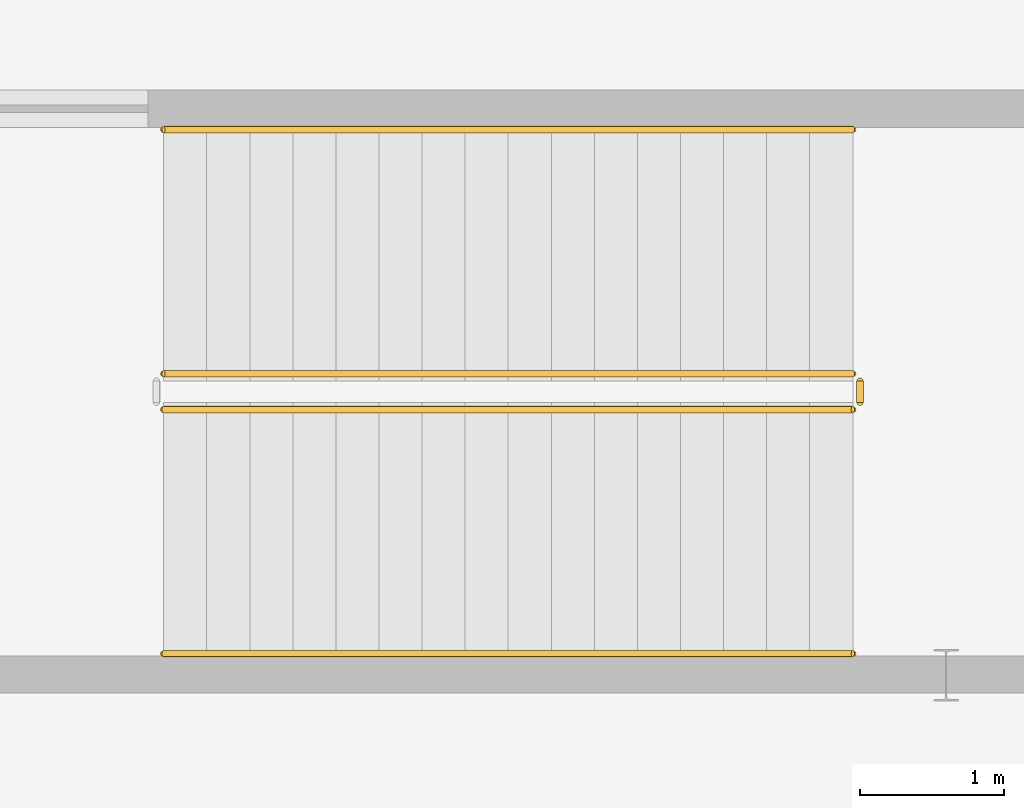
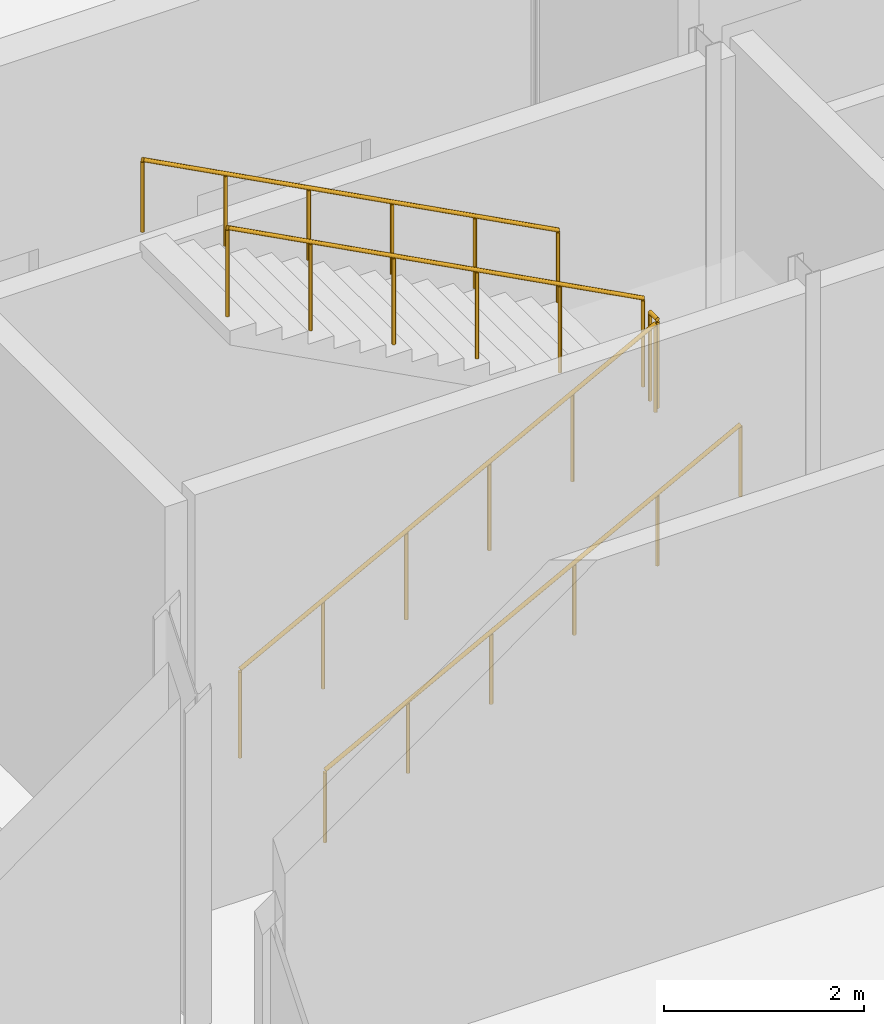
# One storey, part 83 of 84: 5 railings.
"""IFC4 building model written with IfcOpenShell, lengths in metres."""

from ifc_helpers import new_model, si_unit, direction, frame, origin, origin_2d, place, context, subcontext, project, spatial, circle, extrude, material, type_object, element, save


model = new_model("IFC4")

# Units and contexts
model_context = context("Model", 3, precision=1e-05, world=origin(), true_north=direction((0.0, 1.0)))
body_context = subcontext(model_context, "Body", "Model", "MODEL_VIEW")
ifc_project = project(units=[si_unit("LENGTHUNIT", "METRE"), si_unit("AREAUNIT", "SQUARE_METRE"), si_unit("VOLUMEUNIT", "CUBIC_METRE"), si_unit("PLANEANGLEUNIT", "RADIAN"), si_unit("MASSUNIT", "GRAM", prefix="KILO")], contexts=[model_context])

# Site, building, storey
site_placement = place(None, origin())
site = spatial("IfcSite", under=ifc_project, at=site_placement, CompositionType="ELEMENT")
building_placement = place(site_placement, origin())
building = spatial("IfcBuilding", under=site, at=building_placement, Name="Zevrakil Square Congress Hotel", CompositionType="ELEMENT")
storey_placement = place(building_placement, origin())
storey = spatial("IfcBuildingStorey", under=building, at=storey_placement, Name="L01", CompositionType="ELEMENT", Elevation=0.0)

# Railings
ifc_material_1 = material(Name="Steel S355", Category="steel")
railing_type_1 = type_object("IfcRailingType", Name="RLG-STAIR-GUARD-1100", PredefinedType="BALUSTRADE", material=ifc_material_1)
railing_1_placement = place(storey_placement, frame((120.199951171875, 106.550048828125, 0.158935546875)))
element("IfcRailing", 1, at=railing_1_placement, inside=storey, type_object=railing_type_1, Name="L01 ST11 stair guard 1", PredefinedType="BALUSTRADE", context=body_context, shape_type="SweptSolid", body=[
    extrude(circle(Radius=0.02392578125, at=origin_2d()), frame((0.0, 0.0, 1.076171875), z_axis=(0.883802130504, 0.0, 0.467860870469), x_axis=(0.0, 1.0, 0.0)), (0.0, 0.0, 1.0), 5.43115234375),
    extrude(circle(Radius=0.02099609375, at=origin_2d()), origin(), (0.0, 0.0, 1.0), 1.052001953125),
    extrude(circle(Radius=0.02099609375, at=origin_2d()), frame((0.9599609375, 0.0, 0.50830078125)), (0.0, 0.0, 1.0), 1.052001953125),
    extrude(circle(Radius=0.02099609375, at=origin_2d()), frame((1.919921875, 0.0, 1.016357421875)), (0.0, 0.0, 1.0), 1.052001953125),
    extrude(circle(Radius=0.02099609375, at=origin_2d()), frame((2.880126953125, 0.0, 1.524658203125)), (0.0, 0.0, 1.0), 1.052001953125),
    extrude(circle(Radius=0.02099609375, at=origin_2d()), frame((3.840087890625, 0.0, 2.03271484375)), (0.0, 0.0, 1.0), 1.052001953125),
    extrude(circle(Radius=0.02099609375, at=origin_2d()), frame((4.800048828125, 0.0, 2.541015625)), (0.0, 0.0, 1.0), 1.052001953125),
])
railing_2_placement = place(storey_placement, frame((125.050048828125, 106.60009765625, 2.699951171875)))
element("IfcRailing", 2, at=railing_2_placement, inside=storey, type_object=railing_type_1, Name="L01 ST11 stair guard 2", PredefinedType="BALUSTRADE", context=body_context, shape_type="SweptSolid", body=[
    extrude(circle(Radius=0.02392578125, at=origin_2d()), frame((0.0, 0.0, 1.076171875), z_axis=(0.0, 1.0, 0.0), x_axis=(-1.0, 0.0, 0.0)), (0.0, 0.0, 1.0), 0.14990234375),
    extrude(circle(Radius=0.02099609375, at=origin_2d()), origin(), (0.0, 0.0, 1.0), 1.052001953125),
    extrude(circle(Radius=0.02099609375, at=origin_2d()), frame((0.0, 0.14990234375, 0.0)), (0.0, 0.0, 1.0), 1.052001953125),
])
railing_3_placement = place(storey_placement, frame((125.0, 106.800048828125, 2.85888671875)))
element("IfcRailing", 3, at=railing_3_placement, inside=storey, type_object=railing_type_1, Name="L01 ST11 stair guard 3", PredefinedType="BALUSTRADE", context=body_context, shape_type="SweptSolid", body=[
    extrude(circle(Radius=0.02392578125, at=origin_2d()), frame((0.0, 0.0, 1.076171875), z_axis=(-0.883802130504, 0.0, 0.467860870469), x_axis=(0.0, -1.0, 0.0)), (0.0, 0.0, 1.0), 5.43115234375),
    extrude(circle(Radius=0.02099609375, at=origin_2d()), origin(), (0.0, 0.0, 1.0), 1.052001953125),
    extrude(circle(Radius=0.02099609375, at=origin_2d()), frame((-0.9599609375, 0.0, 0.50830078125)), (0.0, 0.0, 1.0), 1.052001953125),
    extrude(circle(Radius=0.02099609375, at=origin_2d()), frame((-1.919921875, 0.0, 1.016357421875)), (0.0, 0.0, 1.0), 1.052001953125),
    extrude(circle(Radius=0.02099609375, at=origin_2d()), frame((-2.880126953125, 0.0, 1.524658203125)), (0.0, 0.0, 1.0), 1.052001953125),
    extrude(circle(Radius=0.02099609375, at=origin_2d()), frame((-3.840087890625, 0.0, 2.03271484375)), (0.0, 0.0, 1.0), 1.052001953125),
    extrude(circle(Radius=0.02099609375, at=origin_2d()), frame((-4.800048828125, 0.0, 2.541015625)), (0.0, 0.0, 1.0), 1.052001953125),
])
ifc_material_2 = material(Name="Steel S355", Category="steel")
railing_type_2 = type_object("IfcRailingType", Name="RLG-STAIR-HAND-900", PredefinedType="HANDRAIL", material=ifc_material_2)
railing_4_placement = place(storey_placement, frame((120.199951171875, 104.85009765625, 0.158935546875)))
element("IfcRailing", 4, at=railing_4_placement, inside=storey, type_object=railing_type_2, Name="L01 ST11 stair handrail 1", PredefinedType="HANDRAIL", context=body_context, shape_type="SweptSolid", body=[
    extrude(circle(Radius=0.02392578125, at=origin_2d()), frame((0.0, 0.0, 0.8759765625), z_axis=(0.883802130504, 0.0, 0.467860870469), x_axis=(0.0, 1.0, 0.0)), (0.0, 0.0, 1.0), 5.43115234375),
    extrude(circle(Radius=0.02099609375, at=origin_2d()), origin(), (0.0, 0.0, 1.0), 0.851806640625),
    extrude(circle(Radius=0.02099609375, at=origin_2d()), frame((0.9599609375, 0.0, 0.50830078125)), (0.0, 0.0, 1.0), 0.851806640625),
    extrude(circle(Radius=0.02099609375, at=origin_2d()), frame((1.919921875, 0.0, 1.016357421875)), (0.0, 0.0, 1.0), 0.851806640625),
    extrude(circle(Radius=0.02099609375, at=origin_2d()), frame((2.880126953125, 0.0, 1.524658203125)), (0.0, 0.0, 1.0), 0.851806640625),
    extrude(circle(Radius=0.02099609375, at=origin_2d()), frame((3.840087890625, 0.0, 2.03271484375)), (0.0, 0.0, 1.0), 0.851806640625),
    extrude(circle(Radius=0.02099609375, at=origin_2d()), frame((4.800048828125, 0.0, 2.541015625)), (0.0, 0.0, 1.0), 0.851806640625),
])
railing_5_placement = place(storey_placement, frame((125.0, 108.5, 2.85888671875)))
element("IfcRailing", 5, at=railing_5_placement, inside=storey, type_object=railing_type_2, Name="L01 ST11 stair handrail 2", PredefinedType="HANDRAIL", context=body_context, shape_type="SweptSolid", body=[
    extrude(circle(Radius=0.02392578125, at=origin_2d()), frame((0.0, 0.0, 0.8759765625), z_axis=(-0.883802130504, 0.0, 0.467860870469), x_axis=(0.0, -1.0, 0.0)), (0.0, 0.0, 1.0), 5.43115234375),
    extrude(circle(Radius=0.02099609375, at=origin_2d()), origin(), (0.0, 0.0, 1.0), 0.851806640625),
    extrude(circle(Radius=0.02099609375, at=origin_2d()), frame((-0.9599609375, 0.0, 0.50830078125)), (0.0, 0.0, 1.0), 0.851806640625),
    extrude(circle(Radius=0.02099609375, at=origin_2d()), frame((-1.919921875, 0.0, 1.016357421875)), (0.0, 0.0, 1.0), 0.851806640625),
    extrude(circle(Radius=0.02099609375, at=origin_2d()), frame((-2.880126953125, 0.0, 1.524658203125)), (0.0, 0.0, 1.0), 0.851806640625),
    extrude(circle(Radius=0.02099609375, at=origin_2d()), frame((-3.840087890625, 0.0, 2.03271484375)), (0.0, 0.0, 1.0), 0.851806640625),
    extrude(circle(Radius=0.02099609375, at=origin_2d()), frame((-4.800048828125, 0.0, 2.541015625)), (0.0, 0.0, 1.0), 0.851806640625),
])

save(model, "model.ifc")
